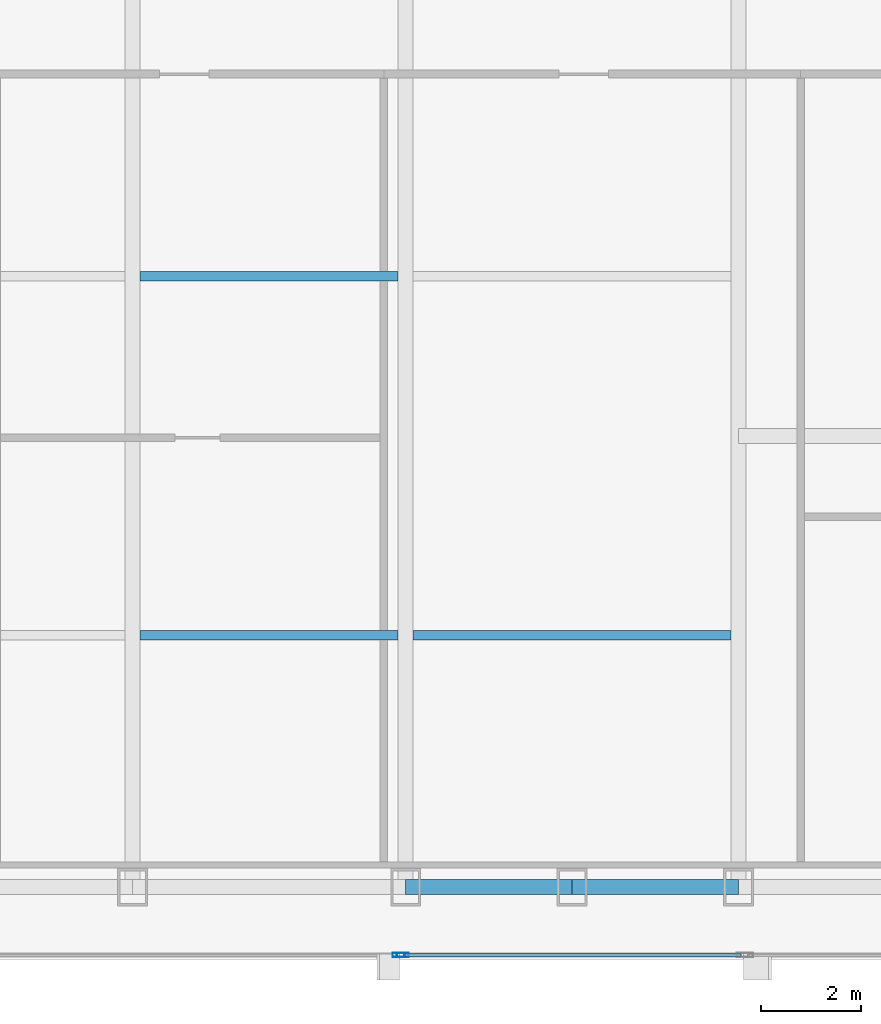
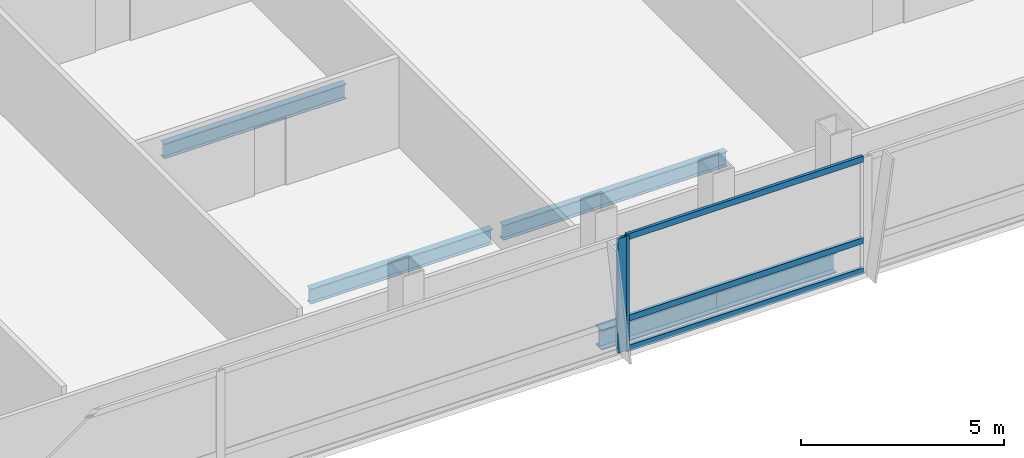
# One storey, part 12 of 30: 5 beams, 5 members, 2 elements without a shape of their own.
"""IFC4 building model written with IfcOpenShell, lengths in metres."""

from ifc_helpers import new_model, si_unit, direction, frame, origin, origin_2d, place, context, subcontext, project, spatial, hollow_rectangle, i_section, extrude, material, material_profile, profile_set, type_object, element, aggregate, save


model = new_model("IFC4")

# Units and contexts
model_context = context("Model", 3, precision=1e-05, world=origin(), true_north=direction((0.0, 1.0)))
body_context = subcontext(model_context, "Body", "Model", "MODEL_VIEW")
ifc_project = project(units=[si_unit("LENGTHUNIT", "METRE"), si_unit("AREAUNIT", "SQUARE_METRE"), si_unit("VOLUMEUNIT", "CUBIC_METRE"), si_unit("PLANEANGLEUNIT", "RADIAN"), si_unit("MASSUNIT", "GRAM", prefix="KILO")], contexts=[model_context])

# Site, building, storey
site_placement = place(None, origin())
site = spatial("IfcSite", under=ifc_project, at=site_placement, CompositionType="ELEMENT")
building_placement = place(site_placement, origin())
building = spatial("IfcBuilding", under=site, at=building_placement, Name="Khoronbel Lancet Exchange", CompositionType="ELEMENT")
storey_placement = place(building_placement, frame((0.0, 0.0, 203.0)))
storey = spatial("IfcBuildingStorey", under=building, at=storey_placement, Name="L51", CompositionType="ELEMENT", Elevation=203.0)

# Beams
ifc_material_1 = material(Name="Steel S355", Category="steel")
ifc_material_profile_1 = material_profile(ifc_material_1, i_section(OverallWidth=0.18994140625, OverallDepth=0.449951171875, WebThickness=0.009521484375, FlangeThickness=0.0146484375, at=origin_2d()), Name="IPE 450")
ifc_profile_set_1 = profile_set([ifc_material_profile_1], Name="Steel S355")
beam_type_1 = type_object("IfcBeamType", Name="BM-BJ4", PredefinedType="JOIST", material=ifc_profile_set_1)
beam_1_placement = place(storey_placement, frame((42.675048828125, 15.199951171875, -0.385009765625), z_axis=(1.0, 0.0, 0.0), x_axis=(0.0, 1.0, 0.0)))
element("IfcBeam", 1, at=beam_1_placement, inside=storey, type_object=beam_type_1, Name="Level L51 secondary composite joist J04", PredefinedType="JOIST", context=body_context, shape_type="SweptSolid", body=[
    extrude(i_section(OverallWidth=0.18994140625, OverallDepth=0.449951171875, WebThickness=0.009521484375, FlangeThickness=0.0146484375, at=origin_2d()), origin(), (0.0, 0.0, 1.0), 5.175048828125),
])
beam_2_placement = place(storey_placement, frame((48.14990234375, 15.199951171875, -0.385009765625), z_axis=(1.0, 0.0, 0.0), x_axis=(0.0, 1.0, 0.0)))
element("IfcBeam", 2, at=beam_2_placement, inside=storey, type_object=beam_type_1, Name="Level L51 secondary composite joist J05", PredefinedType="JOIST", context=body_context, shape_type="SweptSolid", body=[
    extrude(i_section(OverallWidth=0.18994140625, OverallDepth=0.449951171875, WebThickness=0.009521484375, FlangeThickness=0.0146484375, at=origin_2d()), origin(), (0.0, 0.0, 1.0), 6.375),
])
beam_3_placement = place(storey_placement, frame((42.675048828125, 22.39990234375, -0.385009765625), z_axis=(1.0, 0.0, 0.0), x_axis=(0.0, 1.0, 0.0)))
element("IfcBeam", 3, at=beam_3_placement, inside=storey, type_object=beam_type_1, Name="Level L51 secondary composite joist J09", PredefinedType="JOIST", context=body_context, shape_type="SweptSolid", body=[
    extrude(i_section(OverallWidth=0.18994140625, OverallDepth=0.449951171875, WebThickness=0.009521484375, FlangeThickness=0.0146484375, at=origin_2d()), origin(), (0.0, 0.0, 1.0), 5.175048828125),
])
ifc_material_profile_2 = material_profile(ifc_material_1, i_section(OverallWidth=0.300048828125, OverallDepth=0.60009765625, WebThickness=0.015380859375, FlangeThickness=0.030029296875, at=origin_2d()), Name="HEB 600")
ifc_profile_set_2 = profile_set([ifc_material_profile_2], Name="Steel S355")
beam_type_2 = type_object("IfcBeamType", Name="BM-BSP2", PredefinedType="SPANDREL", material=ifc_profile_set_2)
beam_4_placement = place(storey_placement, frame((48.0, 10.14990234375, -0.4599609375), z_axis=(1.0, 0.0, 0.0), x_axis=(0.0, 1.0, 0.0)))
element("IfcBeam", 4, at=beam_4_placement, inside=storey, type_object=beam_type_2, Name="Level L51 perimeter spandrel beam SP07", PredefinedType="SPANDREL", context=body_context, shape_type="SweptSolid", body=[
    extrude(i_section(OverallWidth=0.300048828125, OverallDepth=0.60009765625, WebThickness=0.015380859375, FlangeThickness=0.030029296875, at=origin_2d()), origin(), (0.0, 0.0, 1.0), 3.33740234375),
])
beam_5_placement = place(storey_placement, frame((51.33740234375, 10.14990234375, -0.4599609375), z_axis=(1.0, 0.0, 0.0), x_axis=(0.0, 1.0, 0.0)))
element("IfcBeam", 5, at=beam_5_placement, inside=storey, type_object=beam_type_2, Name="Level L51 perimeter spandrel beam SP08", PredefinedType="SPANDREL", context=body_context, shape_type="SweptSolid", body=[
    extrude(i_section(OverallWidth=0.300048828125, OverallDepth=0.60009765625, WebThickness=0.015380859375, FlangeThickness=0.030029296875, at=origin_2d()), origin(), (0.0, 0.0, 1.0), 3.337646484375),
])

# Curtain wall, member
ifc_material_2 = material(Name="Low-E Solar Control Insulating Glass", Category="glass")
curtain_wall_type = type_object("IfcCurtainWallType", Name="CW-3", PredefinedType="NOTDEFINED", material=ifc_material_2)
curtain_wall_1_placement = place(storey_placement, origin())
curtain_wall_1 = element("IfcCurtainWall", 6, at=curtain_wall_1_placement, inside=storey, type_object=curtain_wall_type, Name="Unitised curtain wall CW-L51-SCV", PredefinedType="NOTDEFINED")
ifc_material_3 = material(Name="Bronze-Anodised Aluminium 6063-T6", Category="aluminium")
ifc_material_profile_3 = material_profile(ifc_material_3, hollow_rectangle(XDim=0.0849609375, YDim=0.239990234375, WallThickness=0.006103515625, at=origin_2d()), Name="ALU MULLION 85x240")
ifc_profile_set_3 = profile_set([ifc_material_profile_3], Name="Bronze-Anodised Aluminium 6063-T6")
member_type_1 = type_object("IfcMemberType", Name="MEM-CWM1", PredefinedType="MULLION", material=ifc_profile_set_3)
member_1_placement = place(storey_placement, frame((47.857421875, 8.7900390625, 0.0), z_axis=(0.0, 0.0, 1.0), x_axis=(0.0, 1.0, 0.0)))
member_1 = element("IfcMember", 7, at=member_1_placement, type_object=member_type_1, Name="CW3 mullion 3", PredefinedType="MULLION", context=body_context, shape_type="SweptSolid", body=[
    extrude(hollow_rectangle(XDim=0.0849609375, YDim=0.239990234375, WallThickness=0.006103515625, at=origin_2d()), origin(), (0.0, 0.0, 1.0), 3.43994140625),
])
aggregate(curtain_wall_1, [member_1])

# Curtain wall, members
curtain_wall_2_placement = place(storey_placement, origin())
curtain_wall_2 = element("IfcCurtainWall", 8, at=curtain_wall_2_placement, inside=storey, type_object=curtain_wall_type, Name="Unitised curtain wall CW-L51-SEB", PredefinedType="NOTDEFINED")
member_2_placement = place(storey_placement, frame((47.9423828125, 8.7900390625, 0.0), z_axis=(0.0, 0.0, 1.0), x_axis=(0.0, 1.0, 0.0)))
member_2 = element("IfcMember", 9, at=member_2_placement, type_object=member_type_1, Name="CW3 mullion 1", PredefinedType="MULLION", context=body_context, shape_type="SweptSolid", body=[
    extrude(hollow_rectangle(XDim=0.0849609375, YDim=0.239990234375, WallThickness=0.006103515625, at=origin_2d()), origin(), (0.0, 0.0, 1.0), 3.43994140625),
])
ifc_material_profile_4 = material_profile(ifc_material_3, hollow_rectangle(XDim=0.0849609375, YDim=0.179931640625, WallThickness=0.0048828125, at=origin_2d()), Name="ALU TRANSOM 85x180")
ifc_profile_set_4 = profile_set([ifc_material_profile_4], Name="Bronze-Anodised Aluminium 6063-T6")
member_type_2 = type_object("IfcMemberType", Name="MEM-CWT1", PredefinedType="USERDEFINED", material=ifc_profile_set_4)
member_3_placement = place(storey_placement, frame((47.985107421875, 8.7900390625, 0.04248046875), z_axis=(1.0, 0.0, 0.0), x_axis=(0.0, 1.0, 0.0)))
member_3 = element("IfcMember", 10, at=member_3_placement, type_object=member_type_2, Name="CW3 transom 1.1", ObjectType="TRANSOM", PredefinedType="USERDEFINED", context=body_context, shape_type="SweptSolid", body=[
    extrude(hollow_rectangle(XDim=0.0849609375, YDim=0.179931640625, WallThickness=0.0048828125, at=origin_2d()), origin(), (0.0, 0.0, 1.0), 6.72998046875),
])
member_4_placement = place(storey_placement, frame((47.985107421875, 8.7900390625, 0.949951171875), z_axis=(1.0, 0.0, 0.0), x_axis=(0.0, 1.0, 0.0)))
member_4 = element("IfcMember", 11, at=member_4_placement, type_object=member_type_2, Name="CW3 transom 1.2", ObjectType="TRANSOM", PredefinedType="USERDEFINED", context=body_context, shape_type="SweptSolid", body=[
    extrude(hollow_rectangle(XDim=0.0849609375, YDim=0.179931640625, WallThickness=0.0048828125, at=origin_2d()), origin(), (0.0, 0.0, 1.0), 6.72998046875),
])
member_5_placement = place(storey_placement, frame((47.985107421875, 8.7900390625, 3.3974609375), z_axis=(1.0, 0.0, 0.0), x_axis=(0.0, 1.0, 0.0)))
member_5 = element("IfcMember", 12, at=member_5_placement, type_object=member_type_2, Name="CW3 transom 1.3", ObjectType="TRANSOM", PredefinedType="USERDEFINED", context=body_context, shape_type="SweptSolid", body=[
    extrude(hollow_rectangle(XDim=0.0849609375, YDim=0.179931640625, WallThickness=0.0048828125, at=origin_2d()), origin(), (0.0, 0.0, 1.0), 6.72998046875),
])
aggregate(curtain_wall_2, [member_2, member_3, member_4, member_5])

save(model, "model.ifc")
